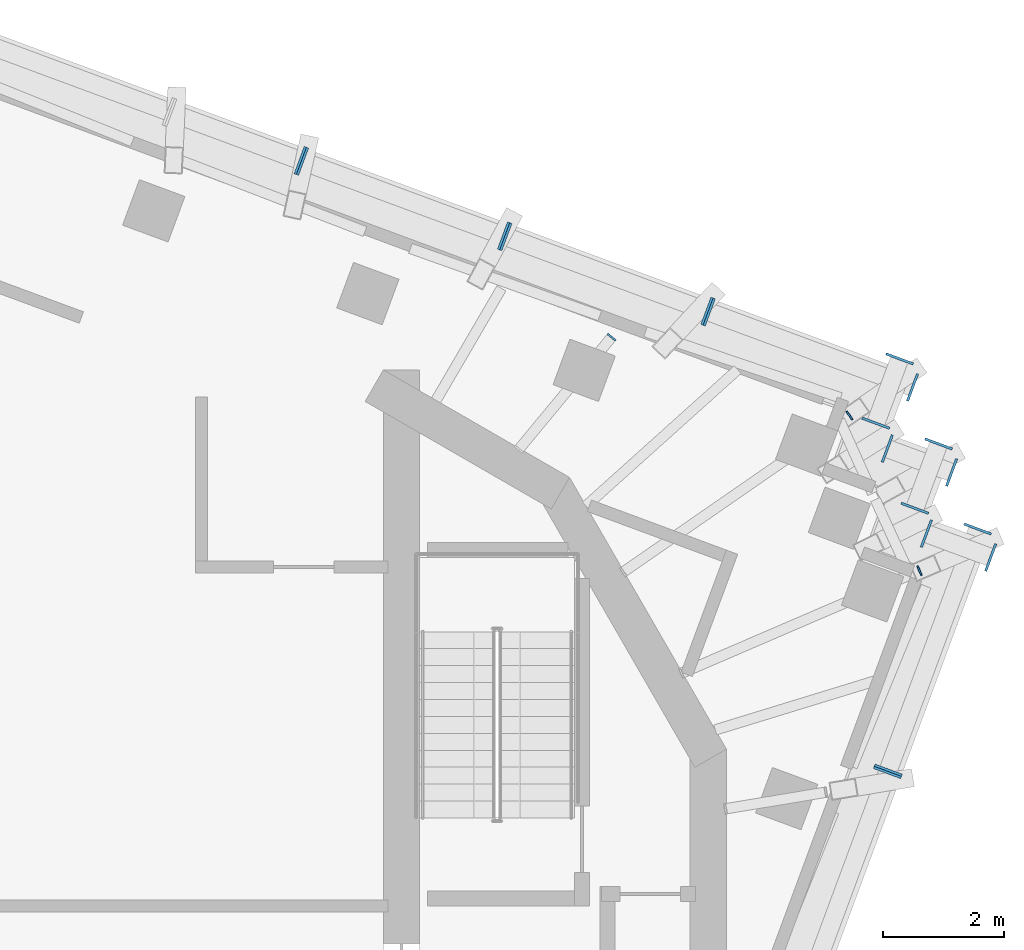
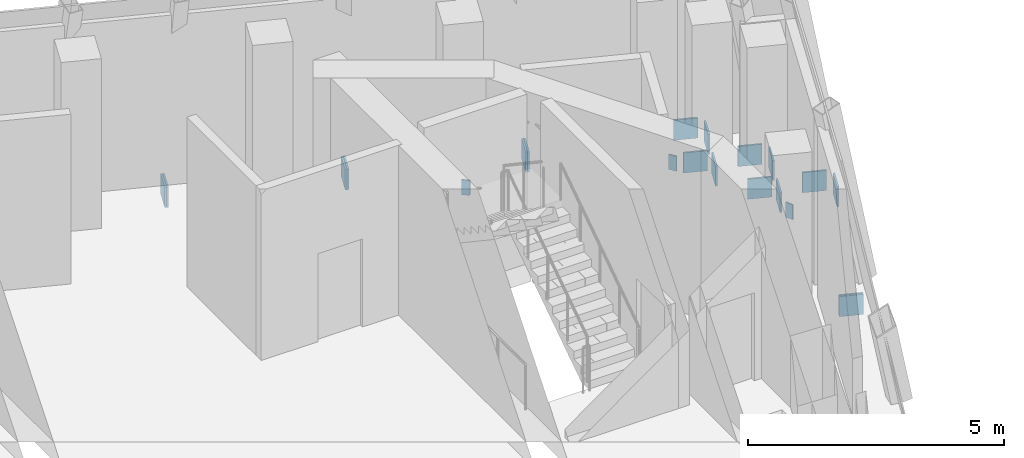
# One storey, part 10 of 11: 21 discrete accessories, 10 elements without a shape of their own.
"""IFC4 building model written with IfcOpenShell, lengths in metres."""

from ifc_helpers import new_model, si_unit, direction, frame, origin, place, context, subcontext, project, spatial, polyline, outline, extrude, material, layer, layer_set, type_object, element, aggregate, save


model = new_model("IFC4")

# Units and contexts
model_context = context("Model", 3, precision=1e-05, world=origin(), true_north=direction((0.0, 1.0)))
body_context = subcontext(model_context, "Body", "Model", "MODEL_VIEW")
ifc_project = project(units=[si_unit("LENGTHUNIT", "METRE"), si_unit("AREAUNIT", "SQUARE_METRE"), si_unit("VOLUMEUNIT", "CUBIC_METRE"), si_unit("PLANEANGLEUNIT", "RADIAN"), si_unit("MASSUNIT", "GRAM", prefix="KILO")], contexts=[model_context])

# Site, building, storey
site_placement = place(None, origin())
site = spatial("IfcSite", under=ifc_project, at=site_placement, CompositionType="ELEMENT")
building_placement = place(site_placement, origin())
building = spatial("IfcBuilding", under=site, at=building_placement, Name="Cantera Rosa Tower", CompositionType="ELEMENT")
storey_placement = place(building_placement, frame((0.0, 0.0, 369.699951171875)))
storey = spatial("IfcBuildingStorey", under=building, at=storey_placement, Name="L83", CompositionType="ELEMENT", Elevation=369.699951171875)

# Curtain wall, discrete accessories
ifc_material_1 = material(Name="Aluminium frame with clear glass", Category="aluminium")
curtain_wall_type = type_object("IfcCurtainWallType", Name="CW4 CROWN GLAZING", PredefinedType="NOTDEFINED", material=ifc_material_1)
curtain_wall_1_placement = place(storey_placement, origin())
curtain_wall_1 = element("IfcCurtainWall", 1, at=curtain_wall_1_placement, inside=storey, type_object=curtain_wall_type, Name="CW4 L83-01", PredefinedType="NOTDEFINED")
ifc_material_2 = material(Name="Steel S355J2 (EN 10025-2)", Category="steel")
ifc_layer = layer(ifc_material_2, 0.030029296875)
ifc_layer_set = layer_set([ifc_layer], Name="NODE PLATE 30")
discrete_accessory_type = type_object("IfcDiscreteAccessoryType", Name="NODE PLATE 30", PredefinedType="ANCHORPLATE", material=ifc_layer_set)
discrete_accessory_1_placement = place(storey_placement, frame((12.832275390625, 8.77392578125, -0.43505859375), z_axis=(0.937742626232, -0.347330918501, 0.0), x_axis=(-0.347330918501, -0.937742626232, 0.0)))
discrete_accessory_1 = element("IfcDiscreteAccessory", 2, at=discrete_accessory_1_placement, type_object=discrete_accessory_type, Name="END PLATE TE0", PredefinedType="ANCHORPLATE", context=body_context, shape_type="SweptSolid", body=[
    extrude(outline(polyline([(0.0, 0.0), (0.4800840869406107, 0.0), (0.4800840869406107, 0.47998046875), (0.0, 0.47998046875), (0.0, 0.0)])), origin(), (0.0, 0.0, -1.0), 0.0400390625),
])
discrete_accessory_2_placement = place(storey_placement, frame((9.23583984375, 9.5947265625, -0.43505859375), z_axis=(-0.937742626232, 0.347330918501, 0.0), x_axis=(0.347330918501, 0.937742626232, 0.0)))
discrete_accessory_2 = element("IfcDiscreteAccessory", 3, at=discrete_accessory_2_placement, type_object=discrete_accessory_type, Name="END PLATE TE1", PredefinedType="ANCHORPLATE", context=body_context, shape_type="SweptSolid", body=[
    extrude(outline(polyline([(0.0, 0.0), (0.4800840869406107, 0.0), (0.4800840869406107, 0.47998046875), (0.0, 0.47998046875), (0.0, 0.0)])), origin(), (0.0, 0.0, -1.0), 0.0400390625),
])
aggregate(curtain_wall_1, [discrete_accessory_1, discrete_accessory_2])

curtain_wall_2_placement = place(storey_placement, origin())
curtain_wall_2 = element("IfcCurtainWall", 4, at=curtain_wall_2_placement, inside=storey, type_object=curtain_wall_type, Name="CW4 L83-02", PredefinedType="NOTDEFINED")
discrete_accessory_3_placement = place(storey_placement, frame((9.477783203125, 10.01708984375, -0.43505859375), z_axis=(0.937742626232, -0.347330918501, 0.0), x_axis=(-0.347330918501, -0.937742626232, 0.0)))
discrete_accessory_3 = element("IfcDiscreteAccessory", 5, at=discrete_accessory_3_placement, type_object=discrete_accessory_type, Name="END PLATE TE0", PredefinedType="ANCHORPLATE", context=body_context, shape_type="SweptSolid", body=[
    extrude(outline(polyline([(0.0, 0.0), (0.4800840869406107, 0.0), (0.4800840869406107, 0.47998046875), (0.0, 0.47998046875), (0.0, 0.0)])), origin(), (0.0, 0.0, -1.0), 0.0400390625),
])
discrete_accessory_4_placement = place(storey_placement, frame((5.88134765625, 10.837890625, -0.43505859375), z_axis=(-0.937742626232, 0.347330918501, 0.0), x_axis=(0.347330918501, 0.937742626232, 0.0)))
discrete_accessory_4 = element("IfcDiscreteAccessory", 6, at=discrete_accessory_4_placement, type_object=discrete_accessory_type, Name="END PLATE TE1", PredefinedType="ANCHORPLATE", context=body_context, shape_type="SweptSolid", body=[
    extrude(outline(polyline([(0.0, 0.0), (0.4800840869406107, 0.0), (0.4800840869406107, 0.47998046875), (0.0, 0.47998046875), (0.0, 0.0)])), origin(), (0.0, 0.0, -1.0), 0.0400390625),
])
aggregate(curtain_wall_2, [discrete_accessory_3, discrete_accessory_4])

curtain_wall_3_placement = place(storey_placement, origin())
curtain_wall_3 = element("IfcCurtainWall", 7, at=curtain_wall_3_placement, inside=storey, type_object=curtain_wall_type, Name="CW4 L83-03", PredefinedType="NOTDEFINED")
discrete_accessory_5_placement = place(storey_placement, frame((6.123046875, 11.26025390625, -0.43505859375), z_axis=(0.937742626232, -0.347330918501, 0.0), x_axis=(-0.347330918501, -0.937742626232, 0.0)))
discrete_accessory_5 = element("IfcDiscreteAccessory", 8, at=discrete_accessory_5_placement, type_object=discrete_accessory_type, Name="END PLATE TE0", PredefinedType="ANCHORPLATE", context=body_context, shape_type="SweptSolid", body=[
    extrude(outline(polyline([(0.0, 0.0), (0.4800840869406107, 0.0), (0.4800840869406107, 0.47998046875), (0.0, 0.47998046875), (0.0, 0.0)])), origin(), (0.0, 0.0, -1.0), 0.0400390625),
])
discrete_accessory_6_placement = place(storey_placement, frame((2.526611328125, 12.0810546875, -0.43505859375), z_axis=(-0.937742626232, 0.347330918501, 0.0), x_axis=(0.347330918501, 0.937742626232, 0.0)))
discrete_accessory_6 = element("IfcDiscreteAccessory", 9, at=discrete_accessory_6_placement, type_object=discrete_accessory_type, Name="END PLATE TE1", PredefinedType="ANCHORPLATE", context=body_context, shape_type="SweptSolid", body=[
    extrude(outline(polyline([(0.0, 0.0), (0.4800840869406107, 0.0), (0.4800840869406107, 0.47998046875), (0.0, 0.47998046875), (0.0, 0.0)])), origin(), (0.0, 0.0, -1.0), 0.0400390625),
])
aggregate(curtain_wall_3, [discrete_accessory_5, discrete_accessory_6])

# Curtain wall, discrete accessory
curtain_wall_4_placement = place(storey_placement, origin())
curtain_wall_4 = element("IfcCurtainWall", 10, at=curtain_wall_4_placement, inside=storey, type_object=curtain_wall_type, Name="CW4 L83-04", PredefinedType="NOTDEFINED")
discrete_accessory_7_placement = place(storey_placement, frame((2.768310546875, 12.50341796875, -0.43505859375), z_axis=(0.937742626232, -0.347330918501, 0.0), x_axis=(-0.347330918501, -0.937742626232, 0.0)))
discrete_accessory_7 = element("IfcDiscreteAccessory", 11, at=discrete_accessory_7_placement, type_object=discrete_accessory_type, Name="END PLATE TE0", PredefinedType="ANCHORPLATE", context=body_context, shape_type="SweptSolid", body=[
    extrude(outline(polyline([(0.0, 0.0), (0.4800840869406107, 0.0), (0.4800840869406107, 0.47998046875), (0.0, 0.47998046875), (0.0, 0.0)])), origin(), (0.0, 0.0, -1.0), 0.0400390625),
])
aggregate(curtain_wall_4, [discrete_accessory_7])

curtain_wall_5_placement = place(storey_placement, origin())
curtain_wall_5 = element("IfcCurtainWall", 12, at=curtain_wall_5_placement, inside=storey, type_object=curtain_wall_type, Name="CW4 L83-31", PredefinedType="NOTDEFINED")
discrete_accessory_8_placement = place(storey_placement, frame((12.111572265625, 2.3427734375, -0.43505859375), z_axis=(0.347496626235, 0.937681233018, 0.0), x_axis=(0.937681233018, -0.347496626235, 0.0)))
discrete_accessory_8 = element("IfcDiscreteAccessory", 13, at=discrete_accessory_8_placement, type_object=discrete_accessory_type, Name="END PLATE TE1", PredefinedType="ANCHORPLATE", context=body_context, shape_type="SweptSolid", body=[
    extrude(outline(polyline([(0.0, 0.0), (0.4798551533622547, 0.0), (0.4798551533622547, 0.47998046875), (0.0, 0.47998046875), (0.0, 0.0)])), origin(), (0.0, 0.0, -1.0), 0.0400390625),
])
aggregate(curtain_wall_5, [discrete_accessory_8])

# Curtain wall, discrete accessories
curtain_wall_6_placement = place(storey_placement, origin())
curtain_wall_6 = element("IfcCurtainWall", 14, at=curtain_wall_6_placement, inside=storey, type_object=curtain_wall_type, Name="CW4 L83-32", PredefinedType="NOTDEFINED")
discrete_accessory_9_placement = place(storey_placement, frame((12.53369140625, 2.10107421875, -0.43505859375), z_axis=(-0.347496626235, -0.937681233018, 0.0), x_axis=(-0.937681233018, 0.347496626235, 0.0)))
discrete_accessory_9 = element("IfcDiscreteAccessory", 15, at=discrete_accessory_9_placement, type_object=discrete_accessory_type, Name="END PLATE TE0", PredefinedType="ANCHORPLATE", context=body_context, shape_type="SweptSolid", body=[
    extrude(outline(polyline([(0.0, 0.0), (0.4798551533622547, 0.0), (0.4798551533622547, 0.47998046875), (0.0, 0.47998046875), (0.0, 0.0)])), origin(), (0.0, 0.0, -1.0), 0.0400390625),
])
discrete_accessory_10_placement = place(storey_placement, frame((13.5859375, 6.322021484375, -0.43505859375), z_axis=(0.347330918501, 0.937742626232, 0.0), x_axis=(0.937742626232, -0.347330918501, 0.0)))
discrete_accessory_10 = element("IfcDiscreteAccessory", 16, at=discrete_accessory_10_placement, type_object=discrete_accessory_type, Name="END PLATE TE1", PredefinedType="ANCHORPLATE", context=body_context, shape_type="SweptSolid", body=[
    extrude(outline(polyline([(0.0, 0.0), (0.4800840869406107, 0.0), (0.4800840869406107, 0.47998046875), (0.0, 0.47998046875), (0.0, 0.0)])), origin(), (0.0, 0.0, -1.0), 0.0400390625),
])
aggregate(curtain_wall_6, [discrete_accessory_9, discrete_accessory_10])

curtain_wall_7_placement = place(storey_placement, origin())
curtain_wall_7 = element("IfcCurtainWall", 17, at=curtain_wall_7_placement, inside=storey, type_object=curtain_wall_type, Name="CW4 L83-33", PredefinedType="NOTDEFINED")
discrete_accessory_11_placement = place(storey_placement, frame((14.121826171875, 5.969482421875, -0.43505859375), z_axis=(0.937742626232, -0.347330918501, 0.0), x_axis=(-0.347330918501, -0.937742626232, 0.0)))
discrete_accessory_11 = element("IfcDiscreteAccessory", 18, at=discrete_accessory_11_placement, type_object=discrete_accessory_type, Name="END PLATE TE0", PredefinedType="ANCHORPLATE", context=body_context, shape_type="SweptSolid", body=[
    extrude(outline(polyline([(0.0, 0.0), (0.4800840869406107, 0.0), (0.4800840869406107, 0.47998046875), (0.0, 0.47998046875), (0.0, 0.0)])), origin(), (0.0, 0.0, -1.0), 0.0400390625),
])
discrete_accessory_12_placement = place(storey_placement, frame((12.85693359375, 5.92626953125, -0.43505859375), z_axis=(-0.93751537431, 0.347943850259, 0.0), x_axis=(0.347943850259, 0.93751537431, 0.0)))
discrete_accessory_12 = element("IfcDiscreteAccessory", 19, at=discrete_accessory_12_placement, type_object=discrete_accessory_type, Name="END PLATE TE1", PredefinedType="ANCHORPLATE", context=body_context, shape_type="SweptSolid", body=[
    extrude(outline(polyline([(0.0, 0.0), (0.47994004600337425, 0.0), (0.47994004600337425, 0.47998046875), (0.0, 0.47998046875), (0.0, 0.0)])), origin(), (0.0, 0.0, -1.0), 0.0400390625),
])
aggregate(curtain_wall_7, [discrete_accessory_11, discrete_accessory_12])

curtain_wall_8_placement = place(storey_placement, origin())
curtain_wall_8 = element("IfcCurtainWall", 20, at=curtain_wall_8_placement, inside=storey, type_object=curtain_wall_type, Name="CW4 L83-34", PredefinedType="NOTDEFINED")
discrete_accessory_13_placement = place(storey_placement, frame((12.98583984375, 6.460205078125, -0.43505859375), z_axis=(-0.347330918501, -0.937742626232, 0.0), x_axis=(-0.937742626232, 0.347330918501, 0.0)))
discrete_accessory_13 = element("IfcDiscreteAccessory", 21, at=discrete_accessory_13_placement, type_object=discrete_accessory_type, Name="END PLATE TE0", PredefinedType="ANCHORPLATE", context=body_context, shape_type="SweptSolid", body=[
    extrude(outline(polyline([(0.0, 0.0), (0.4800840869406107, 0.0), (0.4800840869406107, 0.47998046875), (0.0, 0.47998046875), (0.0, 0.0)])), origin(), (0.0, 0.0, -1.0), 0.0400390625),
])
discrete_accessory_14_placement = place(storey_placement, frame((12.942626953125, 7.72509765625, -0.43505859375), z_axis=(0.347943850259, 0.93751537431, 0.0), x_axis=(0.93751537431, -0.347943850259, 0.0)))
discrete_accessory_14 = element("IfcDiscreteAccessory", 22, at=discrete_accessory_14_placement, type_object=discrete_accessory_type, Name="END PLATE TE1", PredefinedType="ANCHORPLATE", context=body_context, shape_type="SweptSolid", body=[
    extrude(outline(polyline([(0.0, 0.0), (0.47994004600337425, 0.0), (0.47994004600337425, 0.47998046875), (0.0, 0.47998046875), (0.0, 0.0)])), origin(), (0.0, 0.0, -1.0), 0.0400390625),
])
aggregate(curtain_wall_8, [discrete_accessory_13, discrete_accessory_14])

curtain_wall_9_placement = place(storey_placement, origin())
curtain_wall_9 = element("IfcCurtainWall", 23, at=curtain_wall_9_placement, inside=storey, type_object=curtain_wall_type, Name="CW4 L83-35", PredefinedType="NOTDEFINED")
discrete_accessory_15_placement = place(storey_placement, frame((13.47705078125, 7.371826171875, -0.43505859375), z_axis=(0.937742626232, -0.347330918501, 0.0), x_axis=(-0.347330918501, -0.937742626232, 0.0)))
discrete_accessory_15 = element("IfcDiscreteAccessory", 24, at=discrete_accessory_15_placement, type_object=discrete_accessory_type, Name="END PLATE TE0", PredefinedType="ANCHORPLATE", context=body_context, shape_type="SweptSolid", body=[
    extrude(outline(polyline([(0.0, 0.0), (0.4800840869406107, 0.0), (0.4800840869406107, 0.47998046875), (0.0, 0.47998046875), (0.0, 0.0)])), origin(), (0.0, 0.0, -1.0), 0.0400390625),
])
discrete_accessory_16_placement = place(storey_placement, frame((12.21240234375, 7.32861328125, -0.43505859375), z_axis=(-0.937681233018, 0.347496626235, 0.0), x_axis=(0.347496626235, 0.937681233018, 0.0)))
discrete_accessory_16 = element("IfcDiscreteAccessory", 25, at=discrete_accessory_16_placement, type_object=discrete_accessory_type, Name="END PLATE TE1", PredefinedType="ANCHORPLATE", context=body_context, shape_type="SweptSolid", body=[
    extrude(outline(polyline([(0.0, 0.0), (0.4798551533622547, 0.0), (0.4798551533622547, 0.47998046875), (0.0, 0.47998046875), (0.0, 0.0)])), origin(), (0.0, 0.0, -1.0), 0.0400390625),
])
aggregate(curtain_wall_9, [discrete_accessory_15, discrete_accessory_16])

curtain_wall_10_placement = place(storey_placement, origin())
curtain_wall_10 = element("IfcCurtainWall", 26, at=curtain_wall_10_placement, inside=storey, type_object=curtain_wall_type, Name="CW4 L83-36", PredefinedType="NOTDEFINED")
discrete_accessory_17_placement = place(storey_placement, frame((12.342041015625, 7.86328125, -0.43505859375), z_axis=(-0.347943850259, -0.93751537431, 0.0), x_axis=(-0.93751537431, 0.347943850259, 0.0)))
discrete_accessory_17 = element("IfcDiscreteAccessory", 27, at=discrete_accessory_17_placement, type_object=discrete_accessory_type, Name="END PLATE TE0", PredefinedType="ANCHORPLATE", context=body_context, shape_type="SweptSolid", body=[
    extrude(outline(polyline([(0.0, 0.0), (0.47994004600337425, 0.0), (0.47994004600337425, 0.47998046875), (0.0, 0.47998046875), (0.0, 0.0)])), origin(), (0.0, 0.0, -1.0), 0.0400390625),
])
discrete_accessory_18_placement = place(storey_placement, frame((12.299072265625, 9.12841796875, -0.43505859375), z_axis=(0.347943850259, 0.93751537431, 0.0), x_axis=(0.93751537431, -0.347943850259, 0.0)))
discrete_accessory_18 = element("IfcDiscreteAccessory", 28, at=discrete_accessory_18_placement, type_object=discrete_accessory_type, Name="END PLATE TE1", PredefinedType="ANCHORPLATE", context=body_context, shape_type="SweptSolid", body=[
    extrude(outline(polyline([(0.0, 0.0), (0.47994004600337425, 0.0), (0.47994004600337425, 0.47998046875), (0.0, 0.47998046875), (0.0, 0.0)])), origin(), (0.0, 0.0, -1.0), 0.0400390625),
])
aggregate(curtain_wall_10, [discrete_accessory_17, discrete_accessory_18])

# Discrete accessories
discrete_accessory_19_placement = place(storey_placement, frame((0.0, 0.0, -0.805908203125)))
element("IfcDiscreteAccessory", 29, at=discrete_accessory_19_placement, inside=storey, type_object=discrete_accessory_type, Name="END PLATE CG-Z6-01 L83 A", PredefinedType="ANCHORPLATE", context=body_context, shape_type="SweptSolid", body=[
    extrude(outline(polyline([(11.6279296875, 8.1552734375), (11.652587890625, 8.17236328125), (11.75, 8.03173828125), (11.725341796875, 8.0146484375), (11.6279296875, 8.1552734375)])), origin(), (0.0, 0.0, 1.0), 0.35595703125),
])
discrete_accessory_20_placement = place(storey_placement, frame((0.0, 0.0, -0.805908203125)))
element("IfcDiscreteAccessory", 30, at=discrete_accessory_20_placement, inside=storey, type_object=discrete_accessory_type, Name="END PLATE CG-Z6-02 L83 A", PredefinedType="ANCHORPLATE", context=body_context, shape_type="SweptSolid", body=[
    extrude(outline(polyline([(7.689453125, 9.4267578125), (7.70849609375, 9.449951171875), (7.84033203125, 9.3408203125), (7.8212890625, 9.317626953125), (7.689453125, 9.4267578125)])), origin(), (0.0, 0.0, 1.0), 0.35595703125),
])
discrete_accessory_21_placement = place(storey_placement, frame((0.0, 0.0, -0.805908203125)))
element("IfcDiscreteAccessory", 31, at=discrete_accessory_21_placement, inside=storey, type_object=discrete_accessory_type, Name="END PLATE CG-Z6-12 L83 A", PredefinedType="ANCHORPLATE", context=body_context, shape_type="SweptSolid", body=[
    extrude(outline(polyline([(12.79736328125, 5.604736328125), (12.824951171875, 5.61669921875), (12.892578125, 5.45947265625), (12.864990234375, 5.44775390625), (12.79736328125, 5.604736328125)])), origin(), (0.0, 0.0, 1.0), 0.35595703125),
])

save(model, "model.ifc")
